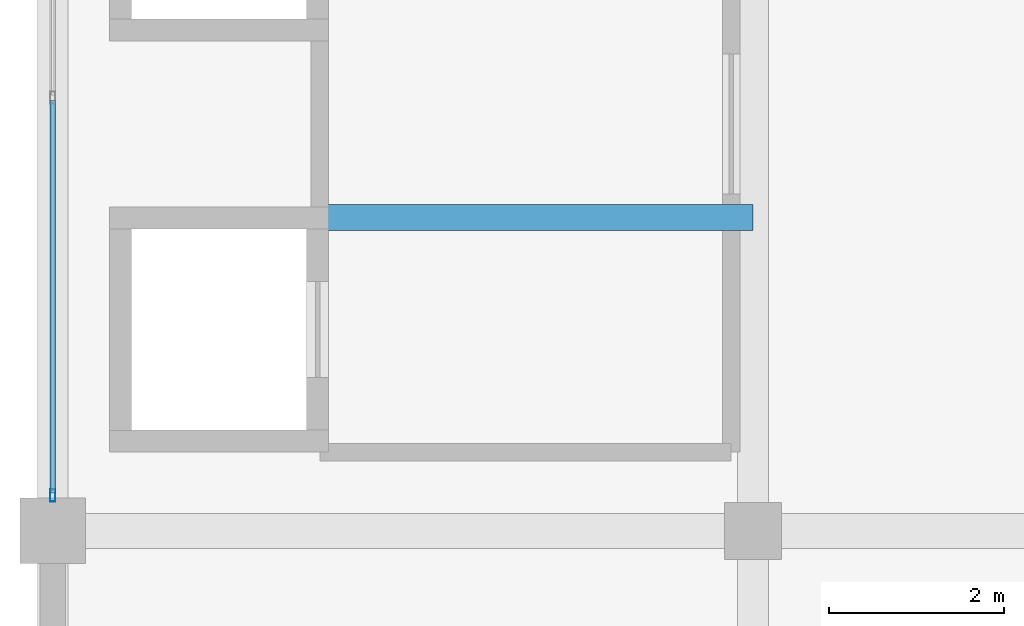
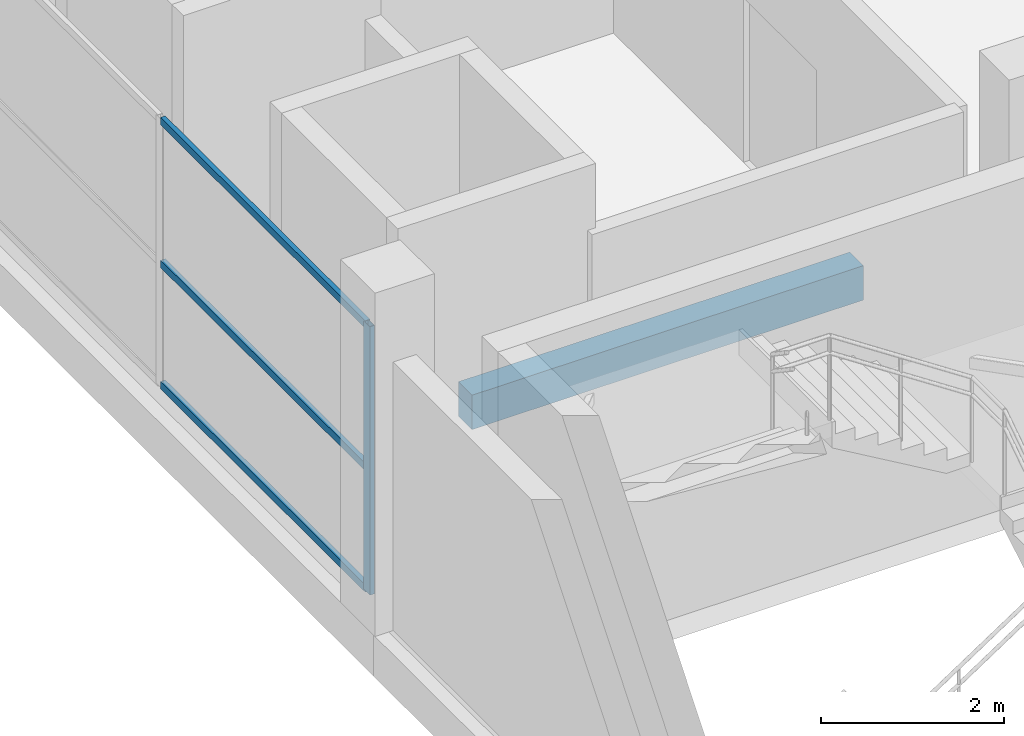
# One storey, part 6 of 69: 4 members, 1 beam, 1 element without a shape of its own.
"""IFC4 building model written with IfcOpenShell, lengths in metres."""

from ifc_helpers import new_model, si_unit, direction, frame, origin, origin_2d, place, context, subcontext, project, spatial, rectangle, hollow_rectangle, extrude, material, layer, layer_set, material_profile, profile_set, type_object, element, aggregate, save


model = new_model("IFC4")

# Units and contexts
model_context = context("Model", 3, precision=1e-05, world=origin(), true_north=direction((0.0, 1.0)))
body_context = subcontext(model_context, "Body", "Model", "MODEL_VIEW")
ifc_project = project(units=[si_unit("LENGTHUNIT", "METRE"), si_unit("AREAUNIT", "SQUARE_METRE"), si_unit("VOLUMEUNIT", "CUBIC_METRE"), si_unit("PLANEANGLEUNIT", "RADIAN"), si_unit("MASSUNIT", "GRAM", prefix="KILO")], contexts=[model_context])

# Site, building, storey
site_placement = place(None, origin())
site = spatial("IfcSite", under=ifc_project, at=site_placement, CompositionType="ELEMENT")
building_placement = place(site_placement, origin())
building = spatial("IfcBuilding", under=site, at=building_placement, Name="Sillaruma Civic Art Gallery", CompositionType="ELEMENT")
storey_placement = place(building_placement, frame((0.0, 0.0, 42.330078125)))
storey = spatial("IfcBuildingStorey", under=building, at=storey_placement, Name="L08", CompositionType="ELEMENT", Elevation=42.330078125)

# Beam
ifc_material_1 = material(Name="Concrete H35 (35 MPa)", Category="concrete")
ifc_material_profile_1 = material_profile(ifc_material_1, rectangle(XDim=0.300048828125, YDim=0.4599609375, at=origin_2d()), Name="RCB300x460")
ifc_profile_set_1 = profile_set([ifc_material_profile_1], Name="Concrete H35 (35 MPa)")
beam_type = type_object("IfcBeamType", Name="BM-LINTEL-RCB300x460", PredefinedType="LINTEL", material=ifc_profile_set_1)
beam_placement = place(storey_placement, frame((65.050048828125, 43.179931640625, -0.510009765625), z_axis=(1.0, 0.0, 0.0), x_axis=(0.0, 1.0, 0.0)))
element("IfcBeam", 1, at=beam_placement, inside=storey, type_object=beam_type, Name="Core Portal Coupling Lintel BL-01 (L07:PL1)", PredefinedType="LINTEL", context=body_context, shape_type="SweptSolid", body=[
    extrude(rectangle(XDim=0.300048828125, YDim=0.4599609375, at=origin_2d()), origin(), (0.0, 0.0, 1.0), 4.949951171875),
])

# Curtain wall, members
ifc_material_2 = material(Name="Thermally Broken Extruded Aluminium 6063-T6", Category="aluminium")
ifc_layer = layer(ifc_material_2, 0.139892578125, Name="Thermally Broken Extruded Aluminium 6063-T6")
ifc_layer_set = layer_set([ifc_layer], Name="Thermally Broken Extruded Aluminium 6063-T6")
curtain_wall_type = type_object("IfcCurtainWallType", Name="CW-UNI-54", PredefinedType="NOTDEFINED", material=ifc_layer_set)
curtain_wall_placement = place(storey_placement, origin())
curtain_wall = element("IfcCurtainWall", 2, at=curtain_wall_placement, inside=storey, type_object=curtain_wall_type, Name="Unitised Curtain Wall CW-54 (CW-L08-WBW-3)", PredefinedType="NOTDEFINED")
ifc_material_profile_2 = material_profile(ifc_material_2, hollow_rectangle(XDim=0.06005859375, YDim=0.139892578125, WallThickness=0.00341796875, at=origin_2d()), Name="CWM60x140")
ifc_profile_set_2 = profile_set([ifc_material_profile_2], Name="Thermally Broken Extruded Aluminium 6063-T6")
member_type_1 = type_object("IfcMemberType", Name="MEM-MUL-CWM60x140", PredefinedType="MULLION", material=ifc_profile_set_2)
member_1_placement = place(storey_placement, frame((62.0, 40.0048828125, 0.0), z_axis=(0.0, 0.0, 1.0), x_axis=(-1.0, 0.0, 0.0)))
member_1 = element("IfcMember", 3, at=member_1_placement, type_object=member_type_1, Name="CW-54 mullion 1", PredefinedType="MULLION", context=body_context, shape_type="SweptSolid", body=[
    extrude(hollow_rectangle(XDim=0.06005859375, YDim=0.139892578125, WallThickness=0.00341796875, at=origin_2d()), origin(), (0.0, 0.0, 1.0), 3.58984375),
])
ifc_material_profile_3 = material_profile(ifc_material_2, hollow_rectangle(XDim=0.06005859375, YDim=0.10009765625, WallThickness=0.003173828125, at=origin_2d()), Name="CWT60x100")
ifc_profile_set_3 = profile_set([ifc_material_profile_3], Name="Thermally Broken Extruded Aluminium 6063-T6")
member_type_2 = type_object("IfcMemberType", Name="MEM-TRN-CWT60x100", PredefinedType="USERDEFINED", material=ifc_profile_set_3)
member_2_placement = place(storey_placement, frame((62.0, 40.034912109375, 0.030029296875), z_axis=(0.0, 1.0, 0.0), x_axis=(-1.0, 0.0, 0.0)))
member_2 = element("IfcMember", 4, at=member_2_placement, type_object=member_type_2, Name="CW-54 transom 1.1", ObjectType="TRANSOM", PredefinedType="USERDEFINED", context=body_context, shape_type="SweptSolid", body=[
    extrude(hollow_rectangle(XDim=0.06005859375, YDim=0.10009765625, WallThickness=0.003173828125, at=origin_2d()), origin(), (0.0, 0.0, 1.0), 4.485107421875),
])
member_3_placement = place(storey_placement, frame((62.0, 40.034912109375, 1.6513671875), z_axis=(0.0, 1.0, 0.0), x_axis=(-1.0, 0.0, 0.0)))
member_3 = element("IfcMember", 5, at=member_3_placement, type_object=member_type_2, Name="CW-54 transom 1.2", ObjectType="TRANSOM", PredefinedType="USERDEFINED", context=body_context, shape_type="SweptSolid", body=[
    extrude(hollow_rectangle(XDim=0.06005859375, YDim=0.10009765625, WallThickness=0.003173828125, at=origin_2d()), origin(), (0.0, 0.0, 1.0), 4.485107421875),
])
member_4_placement = place(storey_placement, frame((62.0, 40.034912109375, 3.559814453125), z_axis=(0.0, 1.0, 0.0), x_axis=(-1.0, 0.0, 0.0)))
member_4 = element("IfcMember", 6, at=member_4_placement, type_object=member_type_2, Name="CW-54 transom 1.3", ObjectType="TRANSOM", PredefinedType="USERDEFINED", context=body_context, shape_type="SweptSolid", body=[
    extrude(hollow_rectangle(XDim=0.06005859375, YDim=0.10009765625, WallThickness=0.003173828125, at=origin_2d()), origin(), (0.0, 0.0, 1.0), 4.485107421875),
])
aggregate(curtain_wall, [member_1, member_2, member_3, member_4])

save(model, "model.ifc")
